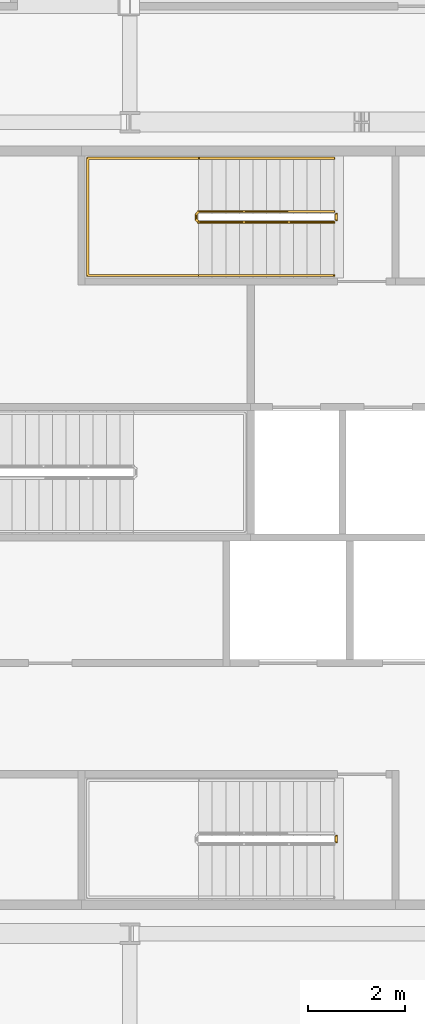
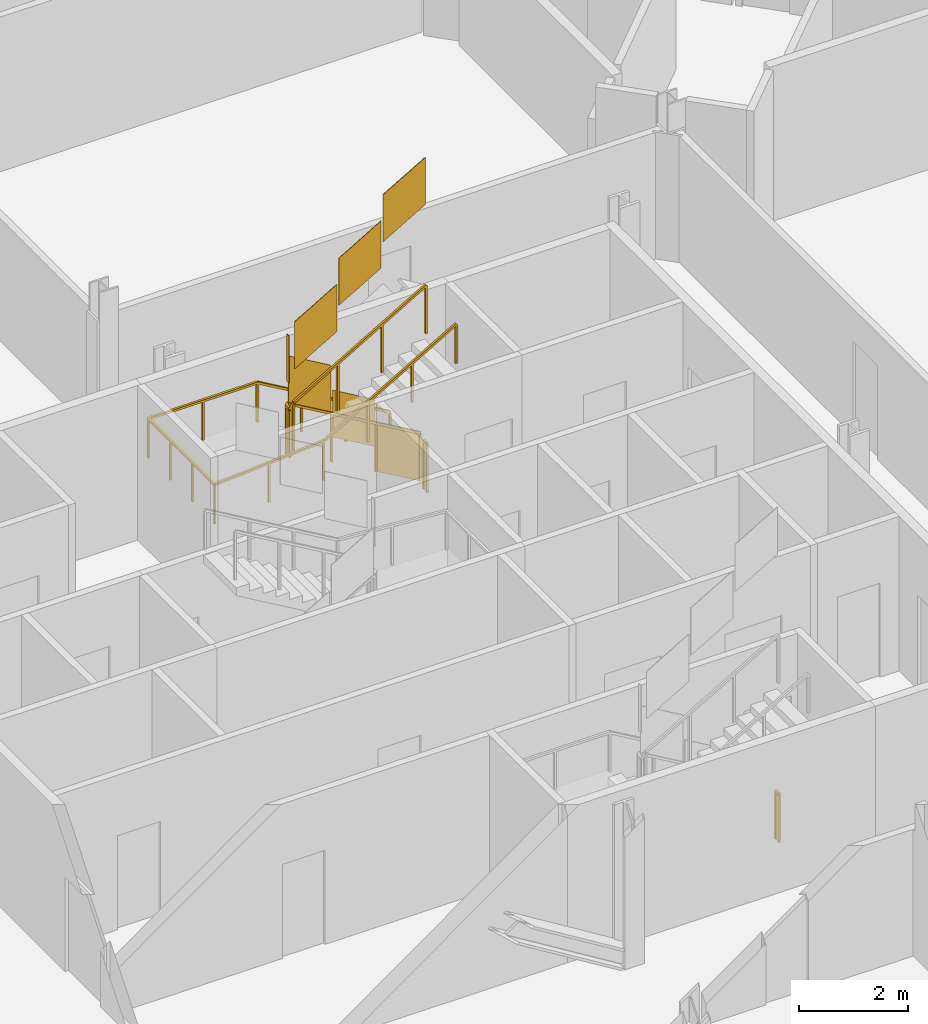
# One storey, part 19 of 21: 4 railings.
"""IFC4 building model written with IfcOpenShell, lengths in metres."""

from ifc_helpers import new_model, si_unit, direction, frame, origin, origin_2d, place, context, subcontext, project, spatial, polyline, rectangle, outline, extrude, material, type_object, element, save


model = new_model("IFC4")

# Units and contexts
model_context = context("Model", 3, precision=1e-05, world=origin(), true_north=direction((0.0, 1.0)))
body_context = subcontext(model_context, "Body", "Model", "MODEL_VIEW")
ifc_project = project(units=[si_unit("LENGTHUNIT", "METRE"), si_unit("AREAUNIT", "SQUARE_METRE"), si_unit("VOLUMEUNIT", "CUBIC_METRE"), si_unit("PLANEANGLEUNIT", "RADIAN"), si_unit("MASSUNIT", "GRAM", prefix="KILO")], contexts=[model_context])

# Site, building, storey
site_placement = place(None, origin())
site = spatial("IfcSite", under=ifc_project, at=site_placement, CompositionType="ELEMENT")
building_placement = place(site_placement, origin())
building = spatial("IfcBuilding", under=site, at=building_placement, Name="Cairn Pilgrim Tower", CompositionType="ELEMENT")
storey_placement = place(building_placement, frame((0.0, 0.0, 168.60009765625)))
storey = spatial("IfcBuildingStorey", under=building, at=storey_placement, Name="L42", CompositionType="ELEMENT", Elevation=168.60009765625)

# Railings
ifc_material = material(Name="Painted steel", Category="steel")
railing_type_1 = type_object("IfcRailingType", Name="STAIR GUARD 1100", PredefinedType="GUARDRAIL", material=ifc_material)
railing_1_placement = place(storey_placement, frame((11.47509765625, -3.97509765625, 0.0)))
element("IfcRailing", 1, at=railing_1_placement, inside=storey, type_object=railing_type_1, Name="L42 ST-A stair guard 2", PredefinedType="GUARDRAIL", context=body_context, shape_type="SweptSolid", body=[
    extrude(rectangle(XDim=0.048095703125, YDim=0.048095703125, at=origin_2d()), frame((0.0, 0.0, 1.076171875), z_axis=(0.0, -1.0, 0.0), x_axis=(1.0, 0.0, 0.0)), (0.0, 0.0, 1.0), 0.125),
    extrude(rectangle(XDim=0.0419921875, YDim=0.0419921875, at=origin_2d()), origin(), (0.0, 0.0, 1.0), 1.052001953125),
    extrude(rectangle(XDim=0.0419921875, YDim=0.0419921875, at=origin_2d()), frame((0.0, -0.125, 0.0)), (0.0, 0.0, 1.0), 1.052001953125),
    extrude(outline(polyline([(0.02099609375, 0.0), (0.10400390625, 0.0), (0.10400390625, 1.052001953125), (0.02099609375, 1.052001953125), (0.02099609375, 0.0)])), frame((0.005859375, 0.0, 0.0), z_axis=(-1.0, 0.0, 0.0), x_axis=(0.0, -1.0, 0.0)), (0.0, 0.0, 1.0), 0.011962890625),
])
railing_2_placement = place(storey_placement, frame((11.425048828125, 8.949951171875, 0.16357421875)))
element("IfcRailing", 2, at=railing_2_placement, inside=storey, type_object=railing_type_1, Name="L42 ST-C stair guard 1", PredefinedType="GUARDRAIL", context=body_context, shape_type="SweptSolid", body=[
    extrude(rectangle(XDim=0.048095703125, YDim=0.048095703125, at=origin_2d()), frame((0.0, 0.0, 1.076171875), z_axis=(-0.863393664356, 0.0, 0.504530851732), x_axis=(0.0, -1.0, 0.0)), (0.0, 0.0, 1.0), 3.2431640625),
    extrude(rectangle(XDim=0.048095703125, YDim=0.048095703125, at=origin_2d()), frame((-2.800048828125, 0.0, 2.71240234375), z_axis=(-0.707106781187, -0.707106781187, 0.0), x_axis=(0.707106781187, -0.707106781187, 0.0)), (0.0, 0.0, 1.0), 0.07080078125),
    extrude(rectangle(XDim=0.048095703125, YDim=0.048095703125, at=origin_2d()), frame((-2.85009765625, -0.050048828125, 2.71240234375), z_axis=(0.0, -1.0, 0.0), x_axis=(1.0, 0.0, 0.0)), (0.0, 0.0, 1.0), 0.125),
    extrude(rectangle(XDim=0.048095703125, YDim=0.048095703125, at=origin_2d()), frame((-2.85009765625, -0.175048828125, 2.71240234375), z_axis=(0.280563532951, -0.279194930351, 0.91833234444), x_axis=(0.705375805398, 0.708833529934, 0.0)), (0.0, 0.0, 1.0), 0.178466796875),
    extrude(rectangle(XDim=0.048095703125, YDim=0.048095703125, at=origin_2d()), frame((-2.800048828125, -0.224853515625, 2.8759765625), z_axis=(0.863393664356, 0.0, 0.504530851732), x_axis=(0.0, 1.0, 0.0)), (0.0, 0.0, 1.0), 3.2431640625),
    extrude(rectangle(XDim=0.0419921875, YDim=0.0419921875, at=origin_2d()), origin(), (0.0, 0.0, 1.0), 1.052001953125),
    extrude(rectangle(XDim=0.0419921875, YDim=0.0419921875, at=origin_2d()), frame((-0.933349609375, 0.0, 0.54541015625)), (0.0, 0.0, 1.0), 1.052001953125),
    extrude(rectangle(XDim=0.0419921875, YDim=0.0419921875, at=origin_2d()), frame((-1.86669921875, 0.0, 1.0908203125)), (0.0, 0.0, 1.0), 1.052001953125),
    extrude(rectangle(XDim=0.0419921875, YDim=0.0419921875, at=origin_2d()), frame((-2.800048828125, 0.0, 1.63623046875)), (0.0, 0.0, 1.0), 1.052001953125),
    extrude(rectangle(XDim=0.0419921875, YDim=0.0419921875, at=origin_2d()), frame((-2.85009765625, -0.050048828125, 1.63623046875)), (0.0, 0.0, 1.0), 1.052001953125),
    extrude(rectangle(XDim=0.0419921875, YDim=0.0419921875, at=origin_2d()), frame((-2.85009765625, -0.175048828125, 1.63623046875)), (0.0, 0.0, 1.0), 1.052001953125),
    extrude(rectangle(XDim=0.0419921875, YDim=0.0419921875, at=origin_2d()), frame((-2.800048828125, -0.224853515625, 1.800048828125)), (0.0, 0.0, 1.0), 1.052001953125),
    extrude(rectangle(XDim=0.0419921875, YDim=0.0419921875, at=origin_2d()), frame((-1.86669921875, -0.224853515625, 2.345458984375)), (0.0, 0.0, 1.0), 1.052001953125),
    extrude(rectangle(XDim=0.0419921875, YDim=0.0419921875, at=origin_2d()), frame((-0.933349609375, -0.224853515625, 2.890869140625)), (0.0, 0.0, 1.0), 1.052001953125),
    extrude(rectangle(XDim=0.0419921875, YDim=0.0419921875, at=origin_2d()), frame((0.0, -0.224853515625, 3.436279296875)), (0.0, 0.0, 1.0), 1.052001953125),
    extrude(outline(polyline([(0.02099609375, 0.01220703125), (0.912353515625, 0.533203125), (0.912353515625, 1.585205078125), (0.02099609375, 1.064208984375), (0.02099609375, 0.01220703125)])), frame((0.0, -0.005859375, 0.0), z_axis=(0.0, 1.0, 0.0), x_axis=(-1.0, 0.0, 0.0)), (0.0, 0.0, 1.0), 0.011962890625),
    extrude(outline(polyline([(0.02099609375, 0.5576171875), (0.912353515625, 1.07861328125), (0.912353515625, 2.130615234375), (0.02099609375, 1.609619140625), (0.02099609375, 0.5576171875)])), frame((-0.933349609375, -0.005859375, 0.54541015625), z_axis=(0.0, 1.0, 0.0), x_axis=(-1.0, 0.0, 0.0)), (0.0, 0.0, 1.0), 0.011962890625),
    extrude(outline(polyline([(0.02099609375, 1.10302734375), (0.912353515625, 1.6240234375), (0.912353515625, 2.676025390625), (0.02099609375, 2.155029296875), (0.02099609375, 1.10302734375)])), frame((-1.86669921875, -0.005859375, 1.0908203125), z_axis=(0.0, 1.0, 0.0), x_axis=(-1.0, 0.0, 0.0)), (0.0, 0.0, 1.0), 0.011962890625),
    extrude(outline(polyline([(0.02099609375, 1.63623046875), (0.10400390625, 1.63623046875), (0.10400390625, 2.688232421875), (0.02099609375, 2.688232421875), (0.02099609375, 1.63623046875)])), frame((-2.84423828125, -0.050048828125, 1.63623046875), z_axis=(-1.0, 0.0, 0.0), x_axis=(0.0, -1.0, 0.0)), (0.0, 0.0, 1.0), 0.011962890625),
    extrude(outline(polyline([(0.02099609375, 1.812255859375), (0.912353515625, 2.333251953125), (0.912353515625, 3.38525390625), (0.02099609375, 2.8642578125), (0.02099609375, 1.812255859375)])), frame((-2.800048828125, -0.21875, 1.800048828125), z_axis=(0.0, -1.0, 0.0), x_axis=(1.0, 0.0, 0.0)), (0.0, 0.0, 1.0), 0.011962890625),
    extrude(outline(polyline([(0.02099609375, 2.357666015625), (0.912353515625, 2.878662109375), (0.912353515625, 3.9306640625), (0.02099609375, 3.40966796875), (0.02099609375, 2.357666015625)])), frame((-1.86669921875, -0.21875, 2.345458984375), z_axis=(0.0, -1.0, 0.0), x_axis=(1.0, 0.0, 0.0)), (0.0, 0.0, 1.0), 0.011962890625),
    extrude(outline(polyline([(0.02099609375, 2.903076171875), (0.912353515625, 3.424072265625), (0.912353515625, 4.47607421875), (0.02099609375, 3.955078125), (0.02099609375, 2.903076171875)])), frame((-0.933349609375, -0.21875, 2.890869140625), z_axis=(0.0, -1.0, 0.0), x_axis=(1.0, 0.0, 0.0)), (0.0, 0.0, 1.0), 0.011962890625),
])
railing_3_placement = place(storey_placement, frame((11.47509765625, 8.89990234375, 0.0)))
element("IfcRailing", 3, at=railing_3_placement, inside=storey, type_object=railing_type_1, Name="L42 ST-C stair guard 2", PredefinedType="GUARDRAIL", context=body_context, shape_type="SweptSolid", body=[
    extrude(rectangle(XDim=0.048095703125, YDim=0.048095703125, at=origin_2d()), frame((0.0, 0.0, 1.076171875), z_axis=(0.0, -1.0, 0.0), x_axis=(1.0, 0.0, 0.0)), (0.0, 0.0, 1.0), 0.125),
    extrude(rectangle(XDim=0.0419921875, YDim=0.0419921875, at=origin_2d()), origin(), (0.0, 0.0, 1.0), 1.052001953125),
    extrude(rectangle(XDim=0.0419921875, YDim=0.0419921875, at=origin_2d()), frame((0.0, -0.125, 0.0)), (0.0, 0.0, 1.0), 1.052001953125),
    extrude(outline(polyline([(0.02099609375, 0.0), (0.10400390625, 0.0), (0.10400390625, 1.052001953125), (0.02099609375, 1.052001953125), (0.02099609375, 0.0)])), frame((0.005859375, 0.0, 0.0), z_axis=(-1.0, 0.0, 0.0), x_axis=(0.0, -1.0, 0.0)), (0.0, 0.0, 1.0), 0.011962890625),
])
railing_type_2 = type_object("IfcRailingType", Name="STAIR HANDRAIL 900", PredefinedType="HANDRAIL", material=ifc_material)
railing_4_placement = place(storey_placement, frame((11.425048828125, 10.050048828125, 0.16357421875)))
element("IfcRailing", 4, at=railing_4_placement, inside=storey, type_object=railing_type_2, Name="L42 ST-C stair handrail 1", PredefinedType="HANDRAIL", context=body_context, shape_type="SweptSolid", body=[
    extrude(rectangle(XDim=0.048095703125, YDim=0.048095703125, at=origin_2d()), frame((0.0, 0.0, 0.8759765625), z_axis=(-0.863393664356, 0.0, 0.504530851732), x_axis=(0.0, -1.0, 0.0)), (0.0, 0.0, 1.0), 3.2431640625),
    extrude(rectangle(XDim=0.048095703125, YDim=0.048095703125, at=origin_2d()), frame((-2.800048828125, 0.0, 2.51220703125), z_axis=(-1.0, 0.0, 0.0), x_axis=(0.0, -1.0, 0.0)), (0.0, 0.0, 1.0), 2.300048828125),
    extrude(rectangle(XDim=0.048095703125, YDim=0.048095703125, at=origin_2d()), frame((-5.10009765625, 0.0, 2.51220703125), z_axis=(0.0, -1.0, 0.0), x_axis=(1.0, 0.0, 0.0)), (0.0, 0.0, 1.0), 2.425048828125),
    extrude(rectangle(XDim=0.048095703125, YDim=0.048095703125, at=origin_2d()), frame((-5.10009765625, -2.425048828125, 2.51220703125), z_axis=(0.99747319029, 0.0, 0.071043892441), x_axis=(0.0, 1.0, 0.0)), (0.0, 0.0, 1.0), 2.305908203125),
    extrude(rectangle(XDim=0.048095703125, YDim=0.048095703125, at=origin_2d()), frame((-2.800048828125, -2.425048828125, 2.67578125), z_axis=(0.863393664356, 0.0, 0.504530851732), x_axis=(0.0, 1.0, 0.0)), (0.0, 0.0, 1.0), 3.2431640625),
    extrude(rectangle(XDim=0.0419921875, YDim=0.0419921875, at=origin_2d()), origin(), (0.0, 0.0, 1.0), 0.851806640625),
    extrude(rectangle(XDim=0.0419921875, YDim=0.0419921875, at=origin_2d()), frame((-0.933349609375, 0.0, 0.54541015625)), (0.0, 0.0, 1.0), 0.851806640625),
    extrude(rectangle(XDim=0.0419921875, YDim=0.0419921875, at=origin_2d()), frame((-1.86669921875, 0.0, 1.0908203125)), (0.0, 0.0, 1.0), 0.851806640625),
    extrude(rectangle(XDim=0.0419921875, YDim=0.0419921875, at=origin_2d()), frame((-2.800048828125, 0.0, 1.63623046875)), (0.0, 0.0, 1.0), 0.851806640625),
    extrude(rectangle(XDim=0.0419921875, YDim=0.0419921875, at=origin_2d()), frame((-3.9501953125, 0.0, 1.63623046875)), (0.0, 0.0, 1.0), 0.851806640625),
    extrude(rectangle(XDim=0.0419921875, YDim=0.0419921875, at=origin_2d()), frame((-5.10009765625, 0.0, 1.63623046875)), (0.0, 0.0, 1.0), 0.851806640625),
    extrude(rectangle(XDim=0.0419921875, YDim=0.0419921875, at=origin_2d()), frame((-5.10009765625, -0.808349609375, 1.63623046875)), (0.0, 0.0, 1.0), 0.851806640625),
    extrude(rectangle(XDim=0.0419921875, YDim=0.0419921875, at=origin_2d()), frame((-5.10009765625, -1.61669921875, 1.63623046875)), (0.0, 0.0, 1.0), 0.851806640625),
    extrude(rectangle(XDim=0.0419921875, YDim=0.0419921875, at=origin_2d()), frame((-5.10009765625, -2.425048828125, 1.63623046875)), (0.0, 0.0, 1.0), 0.851806640625),
    extrude(rectangle(XDim=0.0419921875, YDim=0.0419921875, at=origin_2d()), frame((-3.9501953125, -2.425048828125, 1.71826171875)), (0.0, 0.0, 1.0), 0.851806640625),
    extrude(rectangle(XDim=0.0419921875, YDim=0.0419921875, at=origin_2d()), frame((-2.800048828125, -2.425048828125, 1.800048828125)), (0.0, 0.0, 1.0), 0.851806640625),
    extrude(rectangle(XDim=0.0419921875, YDim=0.0419921875, at=origin_2d()), frame((-1.86669921875, -2.425048828125, 2.345458984375)), (0.0, 0.0, 1.0), 0.851806640625),
    extrude(rectangle(XDim=0.0419921875, YDim=0.0419921875, at=origin_2d()), frame((-0.933349609375, -2.425048828125, 2.890869140625)), (0.0, 0.0, 1.0), 0.851806640625),
    extrude(rectangle(XDim=0.0419921875, YDim=0.0419921875, at=origin_2d()), frame((0.0, -2.425048828125, 3.436279296875)), (0.0, 0.0, 1.0), 0.851806640625),
])

save(model, "model.ifc")
